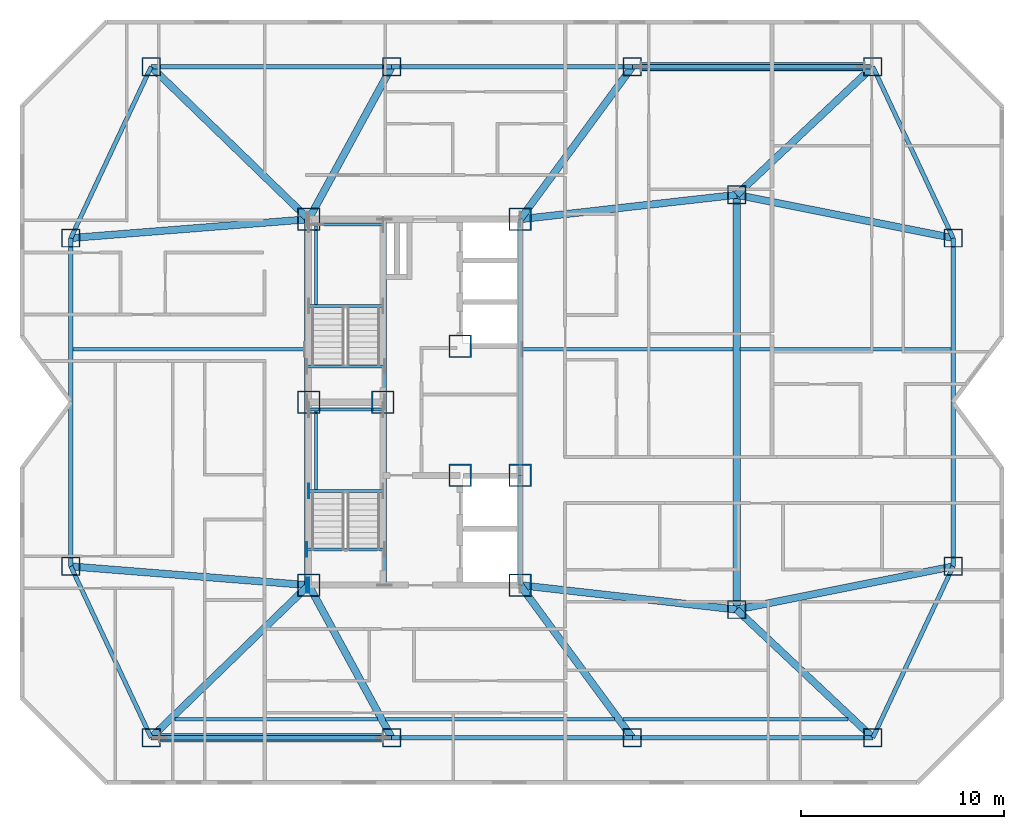
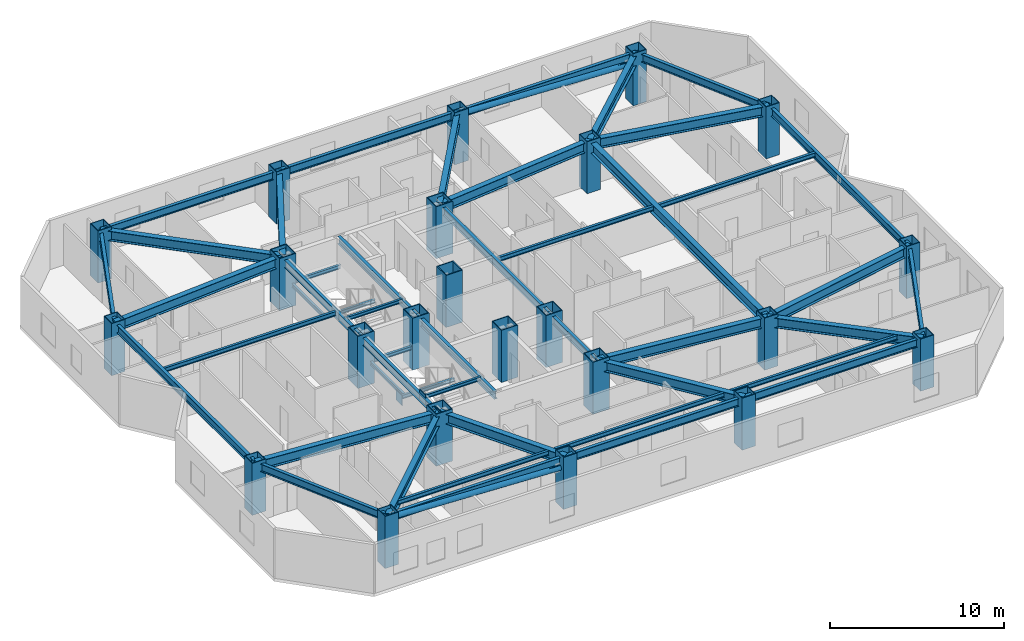
# One storey, part 1 of 11: 47 beams, 23 columns, 4 plates, 2 members.
"""IFC4 building model written with IfcOpenShell, lengths in metres."""

from ifc_helpers import new_model, si_unit, direction, frame, origin, origin_2d, place, context, subcontext, project, spatial, rectangle, hollow_rectangle, hollow_circle, i_section, extrude, material, layer, layer_set, material_profile, profile_set, type_object, element, save


model = new_model("IFC4")

# Units and contexts
model_context = context("Model", 3, precision=1e-05, world=origin(), true_north=direction((0.0, 1.0)))
body_context = subcontext(model_context, "Body", "Model", "MODEL_VIEW")
ifc_project = project(units=[si_unit("LENGTHUNIT", "METRE"), si_unit("AREAUNIT", "SQUARE_METRE"), si_unit("VOLUMEUNIT", "CUBIC_METRE"), si_unit("PLANEANGLEUNIT", "RADIAN"), si_unit("MASSUNIT", "GRAM", prefix="KILO")], contexts=[model_context])

# Site, building, storey
site_placement = place(None, origin())
site = spatial("IfcSite", under=ifc_project, at=site_placement, CompositionType="ELEMENT")
building_placement = place(site_placement, origin())
building = spatial("IfcBuilding", under=site, at=building_placement, Name="Khamvora Tower", CompositionType="ELEMENT")
storey_placement = place(building_placement, frame((0.0, 0.0, 185.10009765625)))
storey = spatial("IfcBuildingStorey", under=building, at=storey_placement, Name="L47", CompositionType="ELEMENT", Elevation=185.10009765625)

# Columns
ifc_material_1 = material(Name="Steel S460", Category="steel")
ifc_material_profile_1 = material_profile(ifc_material_1, hollow_rectangle(XDim=1.10009765625, YDim=1.10009765625, WallThickness=0.054931640625, at=origin_2d()), Name="BOX1100x1100x55")
ifc_profile_set_1 = profile_set([ifc_material_profile_1], Name="Steel S460")
column_type_1 = type_object("IfcColumnType", Name="COL-BOX1100", PredefinedType="COLUMN", material=ifc_profile_set_1)
for number, where, z_axis, x_axis, name in (
    (1, (29.0, 19.0, 0.0), (0.0, 0.0, 1.0), (1.0, 0.0, 0.0), "L47 plumb core spine column SC1"),
    (2, (32.64990234375, 28.0, 0.0), (0.0, 0.0, 1.0), (1.0, 0.0, 0.0), "L47 plumb core spine column SC2"),
    (3, (39.39990234375, 19.0, 0.0), (0.0, 0.0, 1.0), (1.0, 0.0, 0.0), "L47 plumb core spine column SC3"),
    (4, (29.0, 28.0, 0.0), (0.0, 0.0, 1.0), (1.0, 0.0, 0.0), "L47 plumb core spine column SC4"),
    (5, (36.449951171875, 24.39990234375, 0.0), (0.0, 0.0, 1.0), (1.0, 0.0, 0.0), "L47 plumb core spine column SC5"),
    (6, (39.39990234375, 24.39990234375, 0.0), (0.0, 0.0, 1.0), (1.0, 0.0, 0.0), "L47 plumb core spine column SC6"),
    (7, (29.0, 37.0, 0.0), (0.0, 0.0, 1.0), (1.0, 0.0, 0.0), "L47 plumb core spine column SC7"),
    (8, (36.449951171875, 30.75, 0.0), (0.0, 0.0, 1.0), (1.0, 0.0, 0.0), "L47 plumb core spine column SC8"),
    (9, (39.39990234375, 37.0, 0.0), (0.0, 0.0, 1.0), (1.0, 0.0, 0.0), "L47 plumb core spine column SC9"),
):
    element("IfcColumn", number, at=place(storey_placement, frame(where, z_axis=z_axis, x_axis=x_axis)), inside=storey, type_object=column_type_1, Name=name, PredefinedType="COLUMN", context=body_context, shape_type="SweptSolid", body=[
        extrude(hollow_rectangle(XDim=1.10009765625, YDim=1.10009765625, WallThickness=0.054931640625, at=origin_2d()), origin(), (0.0, 0.0, 1.0), 3.64990234375),
    ])
ifc_material_2 = material(Name="Steel S355", Category="steel")
ifc_material_profile_2 = material_profile(ifc_material_2, hollow_rectangle(XDim=0.89990234375, YDim=0.89990234375, WallThickness=0.044921875, at=origin_2d()), Name="BOX900x900x45")
ifc_profile_set_2 = profile_set([ifc_material_profile_2], Name="Steel S355")
column_type_2 = type_object("IfcColumnType", Name="COL-BOX900", PredefinedType="COLUMN", material=ifc_profile_set_2)
for number, where, z_axis, x_axis, name in (
    (10, (21.25, 11.5, 0.0), (0.0, 0.0, 1.0), (1.0, 0.0, 0.0), "L47 structural frame column S1"),
    (11, (33.0830078125, 11.5, 0.0), (0.0, 0.0, 1.0), (1.0, 0.0, 0.0), "L47 structural frame column S2"),
    (12, (44.9169921875, 11.5, 0.0), (0.0, 0.0, 1.0), (1.0, 0.0, 0.0), "L47 structural frame column S3"),
    (13, (56.75, 11.5, 0.0), (0.0, 0.0, 1.0), (1.0, 0.0, 0.0), "L47 structural frame column S4"),
    (14, (21.25, 44.5, 0.0), (0.0, 0.0, 1.0), (1.0, 0.0, 0.0), "L47 structural frame column N1"),
    (15, (33.0830078125, 44.5, 0.0), (0.0, 0.0, 1.0), (1.0, 0.0, 0.0), "L47 structural frame column N2"),
    (16, (44.9169921875, 44.5, 0.0), (0.0, 0.0, 1.0), (1.0, 0.0, 0.0), "L47 structural frame column N3"),
    (17, (56.75, 44.5, 0.0), (0.0, 0.0, 1.0), (1.0, 0.0, 0.0), "L47 structural frame column N4"),
    (18, (17.300048828125, 19.925048828125, 0.0), (0.0, 0.0, 1.0), (1.0, 0.0, 0.0), "L47 structural frame column W1"),
    (19, (17.300048828125, 36.074951171875, 0.0), (0.0, 0.0, 1.0), (1.0, 0.0, 0.0), "L47 structural frame column W2"),
    (20, (60.699951171875, 19.925048828125, 0.0), (0.0, 0.0, 1.0), (1.0, 0.0, 0.0), "L47 structural frame column E1"),
    (21, (60.699951171875, 36.074951171875, 0.0), (0.0, 0.0, 1.0), (1.0, 0.0, 0.0), "L47 structural frame column E2"),
    (22, (50.050048828125, 17.800048828125, 0.0), (0.0, 0.0, 1.0), (1.0, 0.0, 0.0), "L47 structural frame column M1"),
    (23, (50.050048828125, 38.199951171875, 0.0), (0.0, 0.0, 1.0), (1.0, 0.0, 0.0), "L47 structural frame column M2"),
):
    element("IfcColumn", number, at=place(storey_placement, frame(where, z_axis=z_axis, x_axis=x_axis)), inside=storey, type_object=column_type_2, Name=name, PredefinedType="COLUMN", context=body_context, shape_type="SweptSolid", body=[
        extrude(hollow_rectangle(XDim=0.89990234375, YDim=0.89990234375, WallThickness=0.044921875, at=origin_2d()), origin(), (0.0, 0.0, 1.0), 3.64990234375),
    ])

# Beams
ifc_material_profile_3 = material_profile(ifc_material_2, i_section(OverallWidth=0.166015625, OverallDepth=0.31298828125, WebThickness=0.007080078125, FlangeThickness=0.010986328125, FilletRadius=0.010009765625, at=origin_2d()), Name="W310x45")
ifc_profile_set_3 = profile_set([ifc_material_profile_3], Name="Steel S355")
beam_type_1 = type_object("IfcBeamType", Name="BM-JS-W310x45", PredefinedType="JOIST", material=ifc_profile_set_3)
beam_1_placement = place(storey_placement, frame((22.429931640625, 12.39990234375, 3.27392578125), z_axis=(1.0, 0.0, 0.0), x_axis=(0.0, 1.0, 0.0)))
element("IfcBeam", 24, at=beam_1_placement, inside=storey, type_object=beam_type_1, Name="L47 secondary floor joist 01", PredefinedType="JOIST", context=body_context, shape_type="SweptSolid", body=[
    extrude(i_section(OverallWidth=0.166015625, OverallDepth=0.31298828125, WebThickness=0.007080078125, FlangeThickness=0.010986328125, FilletRadius=0.010009765625, at=origin_2d()), origin(), (0.0, 0.0, 1.0), 9.966064453125),
])
beam_2_placement = place(storey_placement, frame((32.7900390625, 12.39990234375, 3.27392578125), z_axis=(1.0, 0.0, 0.0), x_axis=(0.0, 1.0, 0.0)))
element("IfcBeam", 25, at=beam_2_placement, inside=storey, type_object=beam_type_1, Name="L47 secondary floor joist 02", PredefinedType="JOIST", context=body_context, shape_type="SweptSolid", body=[
    extrude(i_section(OverallWidth=0.166015625, OverallDepth=0.31298828125, WebThickness=0.007080078125, FlangeThickness=0.010986328125, FilletRadius=0.010009765625, at=origin_2d()), origin(), (0.0, 0.0, 1.0), 11.25),
])
beam_3_placement = place(storey_placement, frame((44.469970703125, 12.39990234375, 3.27392578125), z_axis=(1.0, 0.0, 0.0), x_axis=(0.0, 1.0, 0.0)))
element("IfcBeam", 26, at=beam_3_placement, inside=storey, type_object=beam_type_1, Name="L47 secondary floor joist 03", PredefinedType="JOIST", context=body_context, shape_type="SweptSolid", body=[
    extrude(i_section(OverallWidth=0.166015625, OverallDepth=0.31298828125, WebThickness=0.007080078125, FlangeThickness=0.010986328125, FilletRadius=0.010009765625, at=origin_2d()), origin(), (0.0, 0.0, 1.0), 11.069091796875),
])
beam_4_placement = place(storey_placement, frame((17.40087890625, 30.60009765625, 3.27392578125), z_axis=(1.0, 0.0, 0.0), x_axis=(0.0, 1.0, 0.0)))
element("IfcBeam", 27, at=beam_4_placement, inside=storey, type_object=beam_type_1, Name="L47 secondary floor joist 04", PredefinedType="JOIST", context=body_context, shape_type="SweptSolid", body=[
    extrude(i_section(OverallWidth=0.166015625, OverallDepth=0.31298828125, WebThickness=0.007080078125, FlangeThickness=0.010986328125, FilletRadius=0.010009765625, at=origin_2d()), origin(), (0.0, 0.0, 1.0), 11.399169921875),
])
beam_5_placement = place(storey_placement, frame((39.4990234375, 30.60009765625, 3.27392578125), z_axis=(1.0, 0.0, 0.0), x_axis=(0.0, 1.0, 0.0)))
element("IfcBeam", 28, at=beam_5_placement, inside=storey, type_object=beam_type_1, Name="L47 secondary floor joist 05", PredefinedType="JOIST", context=body_context, shape_type="SweptSolid", body=[
    extrude(i_section(OverallWidth=0.166015625, OverallDepth=0.31298828125, WebThickness=0.007080078125, FlangeThickness=0.010986328125, FilletRadius=0.010009765625, at=origin_2d()), origin(), (0.0, 0.0, 1.0), 10.3779296875),
])
beam_6_placement = place(storey_placement, frame((50.221923828125, 30.60009765625, 3.27392578125), z_axis=(1.0, 0.0, 0.0), x_axis=(0.0, 1.0, 0.0)))
element("IfcBeam", 29, at=beam_6_placement, inside=storey, type_object=beam_type_1, Name="L47 secondary floor joist 06", PredefinedType="JOIST", context=body_context, shape_type="SweptSolid", body=[
    extrude(i_section(OverallWidth=0.166015625, OverallDepth=0.31298828125, WebThickness=0.007080078125, FlangeThickness=0.010986328125, FilletRadius=0.010009765625, at=origin_2d()), origin(), (0.0, 0.0, 1.0), 10.377197265625),
])
ifc_material_profile_4 = material_profile(ifc_material_2, i_section(OverallWidth=0.14697265625, OverallDepth=0.261962890625, WebThickness=0.007080078125, FlangeThickness=0.010986328125, FilletRadius=0.008056640625, at=origin_2d()), Name="W250x39")
ifc_profile_set_4 = profile_set([ifc_material_profile_4], Name="Steel S355")
beam_type_2 = type_object("IfcBeamType", Name="BM-LN-W250x39", PredefinedType="LINTEL", material=ifc_profile_set_4)
for number, where, z_axis, x_axis, name in (
    (30, (29.0, 23.635009765625, 1.493896484375), (1.0, 0.0, 0.0), (0.0, 1.0, 0.0), "L47 ST-01 half-landing support beam 1.1"),
    (31, (29.0, 27.6298828125, 1.493896484375), (1.0, 0.0, 0.0), (0.0, 1.0, 0.0), "L47 ST-01 half-landing support beam 1.2"),
):
    element("IfcBeam", number, at=place(storey_placement, frame(where, z_axis=z_axis, x_axis=x_axis)), inside=storey, type_object=beam_type_2, Name=name, PredefinedType="LINTEL", context=body_context, shape_type="SweptSolid", body=[
        extrude(i_section(OverallWidth=0.14697265625, OverallDepth=0.261962890625, WebThickness=0.007080078125, FlangeThickness=0.010986328125, FilletRadius=0.008056640625, at=origin_2d()), origin(), (0.0, 0.0, 1.0), 3.64990234375),
    ])
beam_7_placement = place(storey_placement, frame((29.35009765625, 23.635009765625, 1.493896484375), z_axis=(0.0, 1.0, 0.0), x_axis=(-1.0, 0.0, 0.0)))
element("IfcBeam", 32, at=beam_7_placement, inside=storey, type_object=beam_type_2, Name="L47 ST-01 half-landing edge stringer 1", PredefinedType="LINTEL", context=body_context, shape_type="SweptSolid", body=[
    extrude(i_section(OverallWidth=0.14697265625, OverallDepth=0.261962890625, WebThickness=0.007080078125, FlangeThickness=0.010986328125, FilletRadius=0.008056640625, at=origin_2d()), origin(), (0.0, 0.0, 1.0), 3.994873046875),
])
for number, where, z_axis, x_axis, name in (
    (33, (29.0, 32.735107421875, 1.493896484375), (1.0, 0.0, 0.0), (0.0, 1.0, 0.0), "L47 ST-02 half-landing support beam 1.1"),
    (34, (29.0, 36.72998046875, 1.493896484375), (1.0, 0.0, 0.0), (0.0, 1.0, 0.0), "L47 ST-02 half-landing support beam 1.2"),
):
    element("IfcBeam", number, at=place(storey_placement, frame(where, z_axis=z_axis, x_axis=x_axis)), inside=storey, type_object=beam_type_2, Name=name, PredefinedType="LINTEL", context=body_context, shape_type="SweptSolid", body=[
        extrude(i_section(OverallWidth=0.14697265625, OverallDepth=0.261962890625, WebThickness=0.007080078125, FlangeThickness=0.010986328125, FilletRadius=0.008056640625, at=origin_2d()), origin(), (0.0, 0.0, 1.0), 3.64990234375),
    ])
beam_8_placement = place(storey_placement, frame((29.35009765625, 32.735107421875, 1.493896484375), z_axis=(0.0, 1.0, 0.0), x_axis=(-1.0, 0.0, 0.0)))
element("IfcBeam", 35, at=beam_8_placement, inside=storey, type_object=beam_type_2, Name="L47 ST-02 half-landing edge stringer 1", PredefinedType="LINTEL", context=body_context, shape_type="SweptSolid", body=[
    extrude(i_section(OverallWidth=0.14697265625, OverallDepth=0.261962890625, WebThickness=0.007080078125, FlangeThickness=0.010986328125, FilletRadius=0.008056640625, at=origin_2d()), origin(), (0.0, 0.0, 1.0), 3.994873046875),
])
for number, where, z_axis, x_axis, name in (
    (36, (28.89990234375, 20.75, 3.303955078125), (1.0, 0.0, 0.0), (0.0, 1.0, 0.0), "L47 exit stair ST-01 landing trimmer beam"),
    (37, (28.89990234375, 29.75, 3.303955078125), (1.0, 0.0, 0.0), (0.0, 1.0, 0.0), "L47 exit stair ST-02 landing trimmer beam"),
):
    element("IfcBeam", number, at=place(storey_placement, frame(where, z_axis=z_axis, x_axis=x_axis)), inside=storey, type_object=beam_type_2, Name=name, PredefinedType="LINTEL", context=body_context, shape_type="SweptSolid", body=[
        extrude(i_section(OverallWidth=0.14697265625, OverallDepth=0.261962890625, WebThickness=0.007080078125, FlangeThickness=0.010986328125, FilletRadius=0.008056640625, at=origin_2d()), origin(), (0.0, 0.0, 1.0), 3.830078125),
    ])
ifc_material_profile_5 = material_profile(ifc_material_2, i_section(OverallWidth=0.35498046875, OverallDepth=0.695068359375, WebThickness=0.014892578125, FlangeThickness=0.02490234375, FilletRadius=0.01611328125, at=origin_2d()), Name="W690x217")
ifc_profile_set_5 = profile_set([ifc_material_profile_5], Name="Steel S355")
beam_type_3 = type_object("IfcBeamType", Name="BM-PG-W690x217", PredefinedType="BEAM", material=ifc_profile_set_5)
beam_9_placement = place(storey_placement, frame((50.050048828125, 17.800048828125, 3.0830078125), z_axis=(0.0, 1.0, 0.0), x_axis=(-1.0, 0.0, 0.0)))
element("IfcBeam", 38, at=beam_9_placement, inside=storey, type_object=beam_type_3, Name="L47 longitudinal frame girder M1-M2", PredefinedType="BEAM", context=body_context, shape_type="SweptSolid", body=[
    extrude(i_section(OverallWidth=0.35498046875, OverallDepth=0.695068359375, WebThickness=0.014892578125, FlangeThickness=0.02490234375, FilletRadius=0.01611328125, at=origin_2d()), origin(), (0.0, 0.0, 1.0), 20.39990234375),
])
beam_10_placement = place(storey_placement, frame((29.0, 19.0, 3.0830078125), z_axis=(-0.718602141767, -0.695421427516, 0.0), x_axis=(0.695421427516, -0.718602141767, 0.0)))
element("IfcBeam", 39, at=beam_10_placement, inside=storey, type_object=beam_type_3, Name="L47 primary floor girder S1", PredefinedType="BEAM", context=body_context, shape_type="SweptSolid", body=[
    extrude(i_section(OverallWidth=0.35498046875, OverallDepth=0.695068359375, WebThickness=0.014892578125, FlangeThickness=0.02490234375, FilletRadius=0.01611328125, at=origin_2d()), origin(), (0.0, 0.0, 1.0), 10.784912109375),
])
beam_11_placement = place(storey_placement, frame((29.0, 19.0, 3.0830078125), z_axis=(0.478138862063, -0.878284252725, 0.0), x_axis=(0.878284252725, 0.478138862063, 0.0)))
element("IfcBeam", 40, at=beam_11_placement, inside=storey, type_object=beam_type_3, Name="L47 primary floor girder S2", PredefinedType="BEAM", context=body_context, shape_type="SweptSolid", body=[
    extrude(i_section(OverallWidth=0.35498046875, OverallDepth=0.695068359375, WebThickness=0.014892578125, FlangeThickness=0.02490234375, FilletRadius=0.01611328125, at=origin_2d()), origin(), (0.0, 0.0, 1.0), 8.539306640625),
])
beam_12_placement = place(storey_placement, frame((39.39990234375, 19.0, 3.0830078125), z_axis=(0.592556630955, -0.805528794713, 0.0), x_axis=(0.805528794713, 0.592556630955, 0.0)))
element("IfcBeam", 41, at=beam_12_placement, inside=storey, type_object=beam_type_3, Name="L47 primary floor girder S3", PredefinedType="BEAM", context=body_context, shape_type="SweptSolid", body=[
    extrude(i_section(OverallWidth=0.35498046875, OverallDepth=0.695068359375, WebThickness=0.014892578125, FlangeThickness=0.02490234375, FilletRadius=0.01611328125, at=origin_2d()), origin(), (0.0, 0.0, 1.0), 9.310546875),
])
beam_13_placement = place(storey_placement, frame((50.050048828125, 17.800048828125, 3.0830078125), z_axis=(0.728513992294, -0.685030921224, 0.0), x_axis=(0.685030921224, 0.728513992294, 0.0)))
element("IfcBeam", 42, at=beam_13_placement, inside=storey, type_object=beam_type_3, Name="L47 primary floor girder S4", PredefinedType="BEAM", context=body_context, shape_type="SweptSolid", body=[
    extrude(i_section(OverallWidth=0.35498046875, OverallDepth=0.695068359375, WebThickness=0.014892578125, FlangeThickness=0.02490234375, FilletRadius=0.01611328125, at=origin_2d()), origin(), (0.0, 0.0, 1.0), 9.19677734375),
])
beam_14_placement = place(storey_placement, frame((29.0, 37.0, 3.0830078125), z_axis=(-0.718602141767, 0.695421427516, 0.0), x_axis=(-0.695421427516, -0.718602141767, 0.0)))
element("IfcBeam", 43, at=beam_14_placement, inside=storey, type_object=beam_type_3, Name="L47 primary floor girder N1", PredefinedType="BEAM", context=body_context, shape_type="SweptSolid", body=[
    extrude(i_section(OverallWidth=0.35498046875, OverallDepth=0.695068359375, WebThickness=0.014892578125, FlangeThickness=0.02490234375, FilletRadius=0.01611328125, at=origin_2d()), origin(), (0.0, 0.0, 1.0), 10.784912109375),
])
beam_15_placement = place(storey_placement, frame((29.0, 37.0, 3.0830078125), z_axis=(0.478138862063, 0.878284252725, 0.0), x_axis=(-0.878284252725, 0.478138862063, 0.0)))
element("IfcBeam", 44, at=beam_15_placement, inside=storey, type_object=beam_type_3, Name="L47 primary floor girder N2", PredefinedType="BEAM", context=body_context, shape_type="SweptSolid", body=[
    extrude(i_section(OverallWidth=0.35498046875, OverallDepth=0.695068359375, WebThickness=0.014892578125, FlangeThickness=0.02490234375, FilletRadius=0.01611328125, at=origin_2d()), origin(), (0.0, 0.0, 1.0), 8.539306640625),
])
beam_16_placement = place(storey_placement, frame((39.39990234375, 37.0, 3.0830078125), z_axis=(0.592556630955, 0.805528794713, 0.0), x_axis=(-0.805528794713, 0.592556630955, 0.0)))
element("IfcBeam", 45, at=beam_16_placement, inside=storey, type_object=beam_type_3, Name="L47 primary floor girder N3", PredefinedType="BEAM", context=body_context, shape_type="SweptSolid", body=[
    extrude(i_section(OverallWidth=0.35498046875, OverallDepth=0.695068359375, WebThickness=0.014892578125, FlangeThickness=0.02490234375, FilletRadius=0.01611328125, at=origin_2d()), origin(), (0.0, 0.0, 1.0), 9.310546875),
])
beam_17_placement = place(storey_placement, frame((50.050048828125, 38.199951171875, 3.0830078125), z_axis=(0.728513992294, 0.685030921224, 0.0), x_axis=(-0.685030921224, 0.728513992294, 0.0)))
element("IfcBeam", 46, at=beam_17_placement, inside=storey, type_object=beam_type_3, Name="L47 primary floor girder N4", PredefinedType="BEAM", context=body_context, shape_type="SweptSolid", body=[
    extrude(i_section(OverallWidth=0.35498046875, OverallDepth=0.695068359375, WebThickness=0.014892578125, FlangeThickness=0.02490234375, FilletRadius=0.01611328125, at=origin_2d()), origin(), (0.0, 0.0, 1.0), 9.19677734375),
])
for number, where, z_axis, x_axis, name in (
    (47, (29.0, 19.0, 3.0830078125), (-0.996888993668, 0.078818362728, 0.0), (-0.078818362728, -0.996888993668, 0.0), "L47 primary floor girder W1"),
    (48, (29.0, 37.0, 3.0830078125), (-0.996888993668, -0.078818362728, 0.0), (0.078818362728, -0.996888993668, 0.0), "L47 primary floor girder W2"),
):
    element("IfcBeam", number, at=place(storey_placement, frame(where, z_axis=z_axis, x_axis=x_axis)), inside=storey, type_object=beam_type_3, Name=name, PredefinedType="BEAM", context=body_context, shape_type="SweptSolid", body=[
        extrude(i_section(OverallWidth=0.35498046875, OverallDepth=0.695068359375, WebThickness=0.014892578125, FlangeThickness=0.02490234375, FilletRadius=0.01611328125, at=origin_2d()), origin(), (0.0, 0.0, 1.0), 11.736572265625),
    ])
for number, where, z_axis, x_axis, name in (
    (49, (50.050048828125, 17.800048828125, 3.0830078125), (0.980668771461, 0.195675140681, 0.0), (-0.195675140681, 0.980668771461, 0.0), "L47 primary floor girder E1"),
    (50, (50.050048828125, 38.199951171875, 3.0830078125), (0.980668771461, -0.195675140681, 0.0), (0.195675140681, 0.980668771461, 0.0), "L47 primary floor girder E2"),
):
    element("IfcBeam", number, at=place(storey_placement, frame(where, z_axis=z_axis, x_axis=x_axis)), inside=storey, type_object=beam_type_3, Name=name, PredefinedType="BEAM", context=body_context, shape_type="SweptSolid", body=[
        extrude(i_section(OverallWidth=0.35498046875, OverallDepth=0.695068359375, WebThickness=0.014892578125, FlangeThickness=0.02490234375, FilletRadius=0.01611328125, at=origin_2d()), origin(), (0.0, 0.0, 1.0), 10.85986328125),
    ])
for number, where, z_axis, x_axis, name in (
    (51, (39.39990234375, 19.0, 3.0830078125), (0.993712543569, -0.111961514606, 0.0), (0.111961514606, 0.993712543569, 0.0), "L47 primary floor girder M1"),
    (52, (39.39990234375, 37.0, 3.0830078125), (0.993712543569, 0.111961514606, 0.0), (-0.111961514606, 0.993712543569, 0.0), "L47 primary floor girder M2"),
):
    element("IfcBeam", number, at=place(storey_placement, frame(where, z_axis=z_axis, x_axis=x_axis)), inside=storey, type_object=beam_type_3, Name=name, PredefinedType="BEAM", context=body_context, shape_type="SweptSolid", body=[
        extrude(i_section(OverallWidth=0.35498046875, OverallDepth=0.695068359375, WebThickness=0.014892578125, FlangeThickness=0.02490234375, FilletRadius=0.01611328125, at=origin_2d()), origin(), (0.0, 0.0, 1.0), 10.717529296875),
    ])
ifc_material_profile_6 = material_profile(ifc_material_2, i_section(OverallWidth=0.2119140625, OverallDepth=0.5439453125, WebThickness=0.012939453125, FlangeThickness=0.02099609375, FilletRadius=0.013916015625, at=origin_2d()), Name="W530x123")
ifc_profile_set_6 = profile_set([ifc_material_profile_6], Name="Steel S355")
beam_type_4 = type_object("IfcBeamType", Name="BM-SP-W530x123", PredefinedType="SPANDREL", material=ifc_profile_set_6)
beam_18_placement = place(storey_placement, frame((17.300048828125, 19.925048828125, 3.157958984375), z_axis=(0.424496391454, -0.905429629315, 0.0), x_axis=(0.905429629315, 0.424496391454, 0.0)))
element("IfcBeam", 53, at=beam_18_placement, inside=storey, type_object=beam_type_4, Name="L47 perimeter spandrel beam W1-S1", PredefinedType="SPANDREL", context=body_context, shape_type="SweptSolid", body=[
    extrude(i_section(OverallWidth=0.2119140625, OverallDepth=0.5439453125, WebThickness=0.012939453125, FlangeThickness=0.02099609375, FilletRadius=0.013916015625, at=origin_2d()), origin(), (0.0, 0.0, 1.0), 9.304931640625),
])
beam_19_placement = place(storey_placement, frame((21.25, 11.5, 3.157958984375), z_axis=(1.0, 0.0, 0.0), x_axis=(0.0, 1.0, 0.0)))
element("IfcBeam", 54, at=beam_19_placement, inside=storey, type_object=beam_type_4, Name="L47 perimeter spandrel beam S1-S2", PredefinedType="SPANDREL", context=body_context, shape_type="SweptSolid", body=[
    extrude(i_section(OverallWidth=0.2119140625, OverallDepth=0.5439453125, WebThickness=0.012939453125, FlangeThickness=0.02099609375, FilletRadius=0.013916015625, at=origin_2d()), origin(), (0.0, 0.0, 1.0), 11.8330078125),
])
beam_20_placement = place(storey_placement, frame((33.0830078125, 11.5, 3.157958984375), z_axis=(1.0, 0.0, 0.0), x_axis=(0.0, 1.0, 0.0)))
element("IfcBeam", 55, at=beam_20_placement, inside=storey, type_object=beam_type_4, Name="L47 perimeter spandrel beam S2-S3", PredefinedType="SPANDREL", context=body_context, shape_type="SweptSolid", body=[
    extrude(i_section(OverallWidth=0.2119140625, OverallDepth=0.5439453125, WebThickness=0.012939453125, FlangeThickness=0.02099609375, FilletRadius=0.013916015625, at=origin_2d()), origin(), (0.0, 0.0, 1.0), 11.833984375),
])
beam_21_placement = place(storey_placement, frame((44.9169921875, 11.5, 3.157958984375), z_axis=(1.0, 0.0, 0.0), x_axis=(0.0, 1.0, 0.0)))
element("IfcBeam", 56, at=beam_21_placement, inside=storey, type_object=beam_type_4, Name="L47 perimeter spandrel beam S3-S4", PredefinedType="SPANDREL", context=body_context, shape_type="SweptSolid", body=[
    extrude(i_section(OverallWidth=0.2119140625, OverallDepth=0.5439453125, WebThickness=0.012939453125, FlangeThickness=0.02099609375, FilletRadius=0.013916015625, at=origin_2d()), origin(), (0.0, 0.0, 1.0), 11.8330078125),
])
beam_22_placement = place(storey_placement, frame((56.75, 11.5, 3.157958984375), z_axis=(0.424496391454, 0.905429629315, 0.0), x_axis=(-0.905429629315, 0.424496391454, 0.0)))
element("IfcBeam", 57, at=beam_22_placement, inside=storey, type_object=beam_type_4, Name="L47 perimeter spandrel beam S4-E1", PredefinedType="SPANDREL", context=body_context, shape_type="SweptSolid", body=[
    extrude(i_section(OverallWidth=0.2119140625, OverallDepth=0.5439453125, WebThickness=0.012939453125, FlangeThickness=0.02099609375, FilletRadius=0.013916015625, at=origin_2d()), origin(), (0.0, 0.0, 1.0), 9.304931640625),
])
beam_23_placement = place(storey_placement, frame((60.699951171875, 19.925048828125, 3.157958984375), z_axis=(0.0, 1.0, 0.0), x_axis=(-1.0, 0.0, 0.0)))
element("IfcBeam", 58, at=beam_23_placement, inside=storey, type_object=beam_type_4, Name="L47 perimeter spandrel beam E1-E2", PredefinedType="SPANDREL", context=body_context, shape_type="SweptSolid", body=[
    extrude(i_section(OverallWidth=0.2119140625, OverallDepth=0.5439453125, WebThickness=0.012939453125, FlangeThickness=0.02099609375, FilletRadius=0.013916015625, at=origin_2d()), origin(), (0.0, 0.0, 1.0), 16.14990234375),
])
beam_24_placement = place(storey_placement, frame((60.699951171875, 36.074951171875, 3.157958984375), z_axis=(-0.424496391454, 0.905429629315, 0.0), x_axis=(-0.905429629315, -0.424496391454, 0.0)))
element("IfcBeam", 59, at=beam_24_placement, inside=storey, type_object=beam_type_4, Name="L47 perimeter spandrel beam E2-N4", PredefinedType="SPANDREL", context=body_context, shape_type="SweptSolid", body=[
    extrude(i_section(OverallWidth=0.2119140625, OverallDepth=0.5439453125, WebThickness=0.012939453125, FlangeThickness=0.02099609375, FilletRadius=0.013916015625, at=origin_2d()), origin(), (0.0, 0.0, 1.0), 9.304931640625),
])
beam_25_placement = place(storey_placement, frame((56.75, 44.5, 3.157958984375), z_axis=(-1.0, 0.0, 0.0), x_axis=(0.0, -1.0, 0.0)))
element("IfcBeam", 60, at=beam_25_placement, inside=storey, type_object=beam_type_4, Name="L47 perimeter spandrel beam N4-N3", PredefinedType="SPANDREL", context=body_context, shape_type="SweptSolid", body=[
    extrude(i_section(OverallWidth=0.2119140625, OverallDepth=0.5439453125, WebThickness=0.012939453125, FlangeThickness=0.02099609375, FilletRadius=0.013916015625, at=origin_2d()), origin(), (0.0, 0.0, 1.0), 11.8330078125),
])
beam_26_placement = place(storey_placement, frame((44.9169921875, 44.5, 3.157958984375), z_axis=(-1.0, 0.0, 0.0), x_axis=(0.0, -1.0, 0.0)))
element("IfcBeam", 61, at=beam_26_placement, inside=storey, type_object=beam_type_4, Name="L47 perimeter spandrel beam N3-N2", PredefinedType="SPANDREL", context=body_context, shape_type="SweptSolid", body=[
    extrude(i_section(OverallWidth=0.2119140625, OverallDepth=0.5439453125, WebThickness=0.012939453125, FlangeThickness=0.02099609375, FilletRadius=0.013916015625, at=origin_2d()), origin(), (0.0, 0.0, 1.0), 11.833984375),
])
beam_27_placement = place(storey_placement, frame((33.0830078125, 44.5, 3.157958984375), z_axis=(-1.0, 0.0, 0.0), x_axis=(0.0, -1.0, 0.0)))
element("IfcBeam", 62, at=beam_27_placement, inside=storey, type_object=beam_type_4, Name="L47 perimeter spandrel beam N2-N1", PredefinedType="SPANDREL", context=body_context, shape_type="SweptSolid", body=[
    extrude(i_section(OverallWidth=0.2119140625, OverallDepth=0.5439453125, WebThickness=0.012939453125, FlangeThickness=0.02099609375, FilletRadius=0.013916015625, at=origin_2d()), origin(), (0.0, 0.0, 1.0), 11.8330078125),
])
beam_28_placement = place(storey_placement, frame((21.25, 44.5, 3.157958984375), z_axis=(-0.424496391454, -0.905429629315, 0.0), x_axis=(0.905429629315, -0.424496391454, 0.0)))
element("IfcBeam", 63, at=beam_28_placement, inside=storey, type_object=beam_type_4, Name="L47 perimeter spandrel beam N1-W2", PredefinedType="SPANDREL", context=body_context, shape_type="SweptSolid", body=[
    extrude(i_section(OverallWidth=0.2119140625, OverallDepth=0.5439453125, WebThickness=0.012939453125, FlangeThickness=0.02099609375, FilletRadius=0.013916015625, at=origin_2d()), origin(), (0.0, 0.0, 1.0), 9.304931640625),
])
beam_29_placement = place(storey_placement, frame((17.300048828125, 36.074951171875, 3.157958984375), z_axis=(0.0, -1.0, 0.0), x_axis=(1.0, 0.0, 0.0)))
element("IfcBeam", 64, at=beam_29_placement, inside=storey, type_object=beam_type_4, Name="L47 perimeter spandrel beam W2-W1", PredefinedType="SPANDREL", context=body_context, shape_type="SweptSolid", body=[
    extrude(i_section(OverallWidth=0.2119140625, OverallDepth=0.5439453125, WebThickness=0.012939453125, FlangeThickness=0.02099609375, FilletRadius=0.013916015625, at=origin_2d()), origin(), (0.0, 0.0, 1.0), 16.14990234375),
])
ifc_material_profile_7 = material_profile(ifc_material_2, i_section(OverallWidth=0.208984375, OverallDepth=0.532958984375, WebThickness=0.010009765625, FlangeThickness=0.01611328125, FilletRadius=0.013916015625, at=origin_2d()), Name="W530x92")
ifc_profile_set_7 = profile_set([ifc_material_profile_7], Name="Steel S355")
beam_type_5 = type_object("IfcBeamType", Name="BM-SP-W530x92", PredefinedType="SPANDREL", material=ifc_profile_set_7)
for number, where, z_axis, x_axis, name in (
    (65, (28.89990234375, 19.0, 3.162841796875), (0.0, 1.0, 0.0), (-1.0, 0.0, 0.0), "L47 core spine girder WS"),
    (66, (28.89990234375, 28.0, 3.162841796875), (0.0, 1.0, 0.0), (-1.0, 0.0, 0.0), "L47 core spine girder WN"),
    (67, (32.72998046875, 19.0, 3.162841796875), (0.0, 1.0, 0.0), (-1.0, 0.0, 0.0), "L47 core spine girder M1S"),
    (68, (32.72998046875, 28.0, 3.162841796875), (0.0, 1.0, 0.0), (-1.0, 0.0, 0.0), "L47 core spine girder M1N"),
):
    element("IfcBeam", number, at=place(storey_placement, frame(where, z_axis=z_axis, x_axis=x_axis)), inside=storey, type_object=beam_type_5, Name=name, PredefinedType="SPANDREL", context=body_context, shape_type="SweptSolid", body=[
        extrude(i_section(OverallWidth=0.208984375, OverallDepth=0.532958984375, WebThickness=0.010009765625, FlangeThickness=0.01611328125, FilletRadius=0.013916015625, at=origin_2d()), origin(), (0.0, 0.0, 1.0), 9.0),
    ])
beam_30_placement = place(storey_placement, frame((39.39990234375, 19.0, 3.162841796875), z_axis=(0.0, 1.0, 0.0), x_axis=(-1.0, 0.0, 0.0)))
element("IfcBeam", 69, at=beam_30_placement, inside=storey, type_object=beam_type_5, Name="L47 core spine girder ES", PredefinedType="SPANDREL", context=body_context, shape_type="SweptSolid", body=[
    extrude(i_section(OverallWidth=0.208984375, OverallDepth=0.532958984375, WebThickness=0.010009765625, FlangeThickness=0.01611328125, FilletRadius=0.013916015625, at=origin_2d()), origin(), (0.0, 0.0, 1.0), 5.39990234375),
])
beam_31_placement = place(storey_placement, frame((39.39990234375, 24.39990234375, 3.162841796875), z_axis=(0.0, 1.0, 0.0), x_axis=(-1.0, 0.0, 0.0)))
element("IfcBeam", 70, at=beam_31_placement, inside=storey, type_object=beam_type_5, Name="L47 core spine girder EN", PredefinedType="SPANDREL", context=body_context, shape_type="SweptSolid", body=[
    extrude(i_section(OverallWidth=0.208984375, OverallDepth=0.532958984375, WebThickness=0.010009765625, FlangeThickness=0.01611328125, FilletRadius=0.013916015625, at=origin_2d()), origin(), (0.0, 0.0, 1.0), 12.60009765625),
])

# Members
ifc_material_profile_8 = material_profile(ifc_material_2, hollow_circle(Radius=0.202880859375, WallThickness=0.01611328125, at=origin_2d()), Name="CHS406x16")
ifc_profile_set_8 = profile_set([ifc_material_profile_8], Name="Steel S355")
member_type = type_object("IfcMemberType", Name="MEM-BR-CHS406", PredefinedType="BRACE", material=ifc_profile_set_8)
for number, where, z_axis, x_axis, name in (
    (71, (32.653076171875, 11.5, 2.697998046875), (-0.999175762718, 0.0, 0.040593043713), (0.0, -1.0, 0.0), "L47 perimeter wind brace 1"),
    (72, (56.320068359375, 44.5, 2.697998046875), (-0.999175762718, 0.0, 0.040593043713), (0.0, -1.0, 0.0), "L47 perimeter wind brace 2"),
):
    element("IfcMember", number, at=place(storey_placement, frame(where, z_axis=z_axis, x_axis=x_axis)), inside=storey, type_object=member_type, Name=name, PredefinedType="BRACE", context=body_context, shape_type="SweptSolid", body=[
        extrude(hollow_circle(Radius=0.202880859375, WallThickness=0.01611328125, at=origin_2d()), origin(), (0.0, 0.0, 1.0), 10.982177734375),
    ])

# Plates
ifc_layer = layer(ifc_material_1, 0.034912109375)
ifc_layer_set = layer_set([ifc_layer], Name="Steel S460")
plate_type = type_object("IfcPlateType", Name="PL-EMB-35", PredefinedType="SHEET", material=ifc_layer_set)
for number, where, z_axis, x_axis, name in (
    (73, (29.0, 23.635009765625, 1.1337890625), (0.0, 0.0, 1.0), (1.0, 0.0, 0.0), "L47 core shear wall cast-in embed plate 1366"),
    (74, (29.0, 19.0, 2.72314453125), (0.0, 0.0, 1.0), (1.0, 0.0, 0.0), "L47 core shear wall cast-in embed plate 1375"),
    (75, (28.89990234375, 19.0, 2.802734375), (0.0, 0.0, 1.0), (1.0, 0.0, 0.0), "L47 core shear wall cast-in embed plate 1379"),
    (76, (28.89990234375, 20.75, 2.94384765625), (0.0, 0.0, 1.0), (1.0, 0.0, 0.0), "L47 core shear wall cast-in embed plate 1388"),
):
    element("IfcPlate", number, at=place(storey_placement, frame(where, z_axis=z_axis, x_axis=x_axis)), inside=storey, type_object=plate_type, Name=name, PredefinedType="SHEET", context=body_context, shape_type="SweptSolid", body=[
        extrude(rectangle(XDim=0.034912109375, YDim=0.719970703125, at=origin_2d()), origin(), (0.0, 0.0, 1.0), 0.719970703125),
    ])

save(model, "model.ifc")
